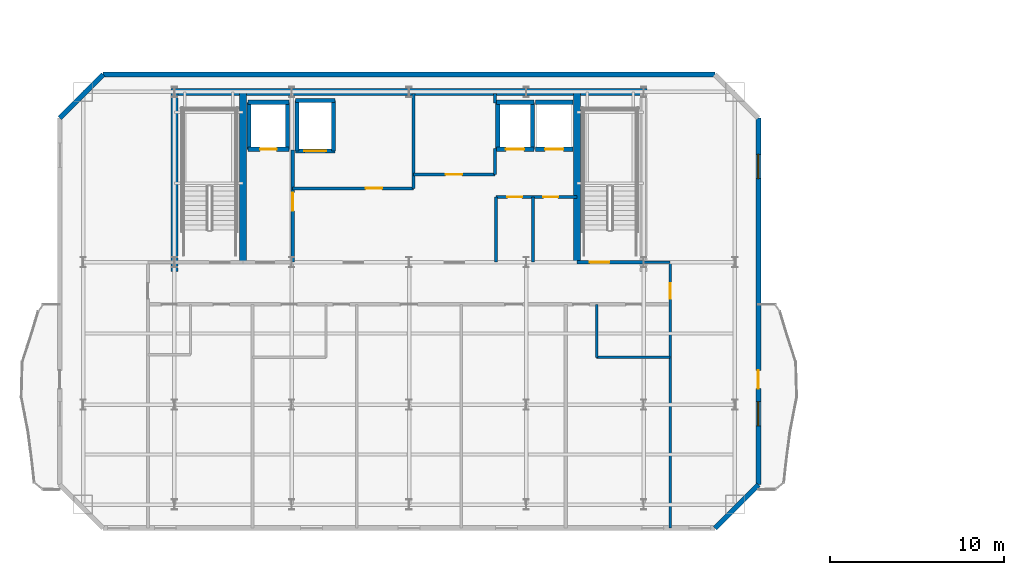
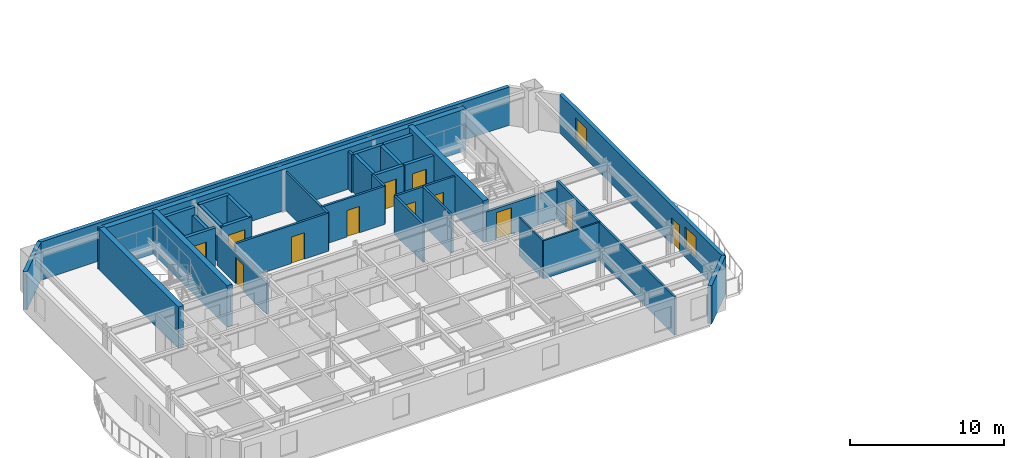
# One storey, part 6 of 13: 36 walls, 12 doors, 2 windows, 14 openings.
"""IFC4 building model written with IfcOpenShell, lengths in metres."""

from ifc_helpers import new_model, si_unit, direction, frame, frame_2d, origin, place, context, subcontext, project, spatial, rectangle, extrude, material, layer, layer_set, type_object, element, fill, save


model = new_model("IFC4")

# Units and contexts
model_context = context("Model", 3, precision=1e-05, world=origin(), true_north=direction((0.0, 1.0)))
body_context = subcontext(model_context, "Body", "Model", "MODEL_VIEW")
ifc_project = project(units=[si_unit("LENGTHUNIT", "METRE"), si_unit("AREAUNIT", "SQUARE_METRE"), si_unit("VOLUMEUNIT", "CUBIC_METRE"), si_unit("PLANEANGLEUNIT", "RADIAN"), si_unit("MASSUNIT", "GRAM", prefix="KILO")], contexts=[model_context])

# Site, building, storey
site_placement = place(None, origin())
site = spatial("IfcSite", under=ifc_project, at=site_placement, CompositionType="ELEMENT")
building_placement = place(site_placement, origin())
building = spatial("IfcBuilding", under=site, at=building_placement, Name="Haevon Station Towers", CompositionType="ELEMENT")
storey_placement = place(building_placement, frame((0.0, 0.0, 222.0)))
storey = spatial("IfcBuildingStorey", under=building, at=storey_placement, Name="L61", CompositionType="ELEMENT", Elevation=222.0)

# Wall, opening, door
ifc_material_1 = material(Name="Gypsum board on steel stud", Category="steel")
ifc_layer_1 = layer(ifc_material_1, 0.199951171875)
ifc_layer_set_1 = layer_set([ifc_layer_1], Name="Gypsum board on steel stud")
wall_type_1 = type_object("IfcWallType", Name="WL-COR200", PredefinedType="PARTITIONING", material=ifc_layer_set_1)
wall_1_placement = place(storey_placement, frame((47.14990234375, 38.199951171875, 0.0), z_axis=(0.0, 0.0, 1.0), x_axis=(1.0, 0.0, 0.0)))
wall_1 = element("IfcWall", 1, at=wall_1_placement, inside=storey, type_object=wall_type_1, Name="WL-ST-ST2-L61", PredefinedType="PARTITIONING", context=body_context, shape_type="SweptSolid", body=[
    extrude(rectangle(XDim=3.85009765625, YDim=0.199951171875, at=frame_2d((1.925048828125, 0.0))), origin(), (0.0, 0.0, 1.0), 2.429931640625),
])
opening_1_placement = place(wall_1_placement, frame((0.75, 0.0, 0.0)))
opening_1 = element("IfcOpeningElement", 2, at=opening_1_placement, cuts=wall_1, Name="Opening DR-ST-ST2-L61", PredefinedType="OPENING", context=body_context, shape_type="SweptSolid", body=[
    extrude(rectangle(XDim=1.1201171875, YDim=2.10009765625, at=frame_2d((0.56005859375, 1.050048828125))), frame((0.0, 0.10986328125, 0.0), z_axis=(0.0, -1.0, 0.0), x_axis=(1.0, 0.0, 0.0)), (0.0, 0.0, 1.0), 0.219970703125),
])
ifc_material_2 = material(Name="Engineered oak timber", Category="wood")
door_type_1 = type_object("IfcDoorType", Name="DR-ST-1120", OperationType="NOTDEFINED", PredefinedType="DOOR", material=ifc_material_2)
door_1_placement = place(opening_1_placement, origin())
door_1 = element("IfcDoor", 3, at=door_1_placement, inside=storey, type_object=door_type_1, Name="L61 Escape Stair ST2 Fire Door", OperationType="SINGLE_SWING_LEFT", OverallHeight=2.10009765625, OverallWidth=1.1201171875, PredefinedType="DOOR", context=body_context, shape_type="SweptSolid", body=[
    extrude(rectangle(XDim=1.1201171875, YDim=2.10009765625, at=frame_2d((0.56005859375, 1.050048828125))), frame((0.0, 0.02490234375, 0.0), z_axis=(0.0, -1.0, 0.0), x_axis=(1.0, 0.0, 0.0)), (0.0, 0.0, 1.0), 0.050048828125),
])
fill(opening_1, door_1)

wall_2_placement = place(storey_placement, frame((30.800048828125, 38.199951171875, 0.0), z_axis=(0.0, 0.0, 1.0), x_axis=(0.0, 1.0, 0.0)))
wall_2 = element("IfcWall", 4, at=wall_2_placement, inside=storey, type_object=wall_type_1, Name="WL-T1FFL-L61-E", PredefinedType="PARTITIONING", context=body_context, shape_type="SweptSolid", body=[
    extrude(rectangle(XDim=6.449951171875, YDim=0.199951171875, at=frame_2d((3.22509765625, 0.0))), origin(), (0.0, 0.0, 1.0), 2.429931640625),
])
opening_2_placement = place(wall_2_placement, frame((2.9599609375, 0.0, 0.0)))
opening_2 = element("IfcOpeningElement", 5, at=opening_2_placement, cuts=wall_2, Name="Opening DR-T1FFL-L61-E", PredefinedType="OPENING", context=body_context, shape_type="SweptSolid", body=[
    extrude(rectangle(XDim=1.050048828125, YDim=2.10009765625, at=frame_2d((0.52490234375, 1.050048828125))), frame((0.0, 0.10986328125, 0.0), z_axis=(0.0, -1.0, 0.0), x_axis=(1.0, 0.0, 0.0)), (0.0, 0.0, 1.0), 0.219970703125),
])
door_type_2 = type_object("IfcDoorType", Name="DR-FD60-1050", OperationType="NOTDEFINED", PredefinedType="DOOR", material=ifc_material_2)
door_2_placement = place(opening_2_placement, origin())
door_2 = element("IfcDoor", 6, at=door_2_placement, inside=storey, type_object=door_type_2, Name="L61 Tower 1 Firefighting Lift Lobby Door E", OperationType="SINGLE_SWING_RIGHT", OverallHeight=2.10009765625, OverallWidth=1.050048828125, PredefinedType="DOOR", context=body_context, shape_type="SweptSolid", body=[
    extrude(rectangle(XDim=1.050048828125, YDim=2.10009765625, at=frame_2d((0.52490234375, 1.050048828125))), frame((0.0, 0.02490234375, 0.0), z_axis=(0.0, -1.0, 0.0), x_axis=(1.0, 0.0, 0.0)), (0.0, 0.0, 1.0), 0.050048828125),
])
fill(opening_2, door_2)

# Walls
ifc_material_3 = material(Name="Concrete C60/75", Category="concrete")
ifc_layer_2 = layer(ifc_material_3, 0.39990234375)
ifc_layer_set_2 = layer_set([ifc_layer_2], Name="Concrete C60/75")
wall_type_2 = type_object("IfcWallType", Name="WL-CR400", PredefinedType="SHEAR", material=ifc_layer_set_2)
wall_3_placement = place(storey_placement, frame((23.800048828125, 48.0, 0.0), z_axis=(0.0, 0.0, 1.0), x_axis=(1.0, 0.0, 0.0)))
element("IfcWall", 7, at=wall_3_placement, inside=storey, type_object=wall_type_2, Name="WL-T1CR-L61-N", PredefinedType="SHEAR", context=body_context, shape_type="SweptSolid", body=[
    extrude(rectangle(XDim=27.39990234375, YDim=0.39990234375, at=frame_2d((13.699951171875, 0.0))), origin(), (0.0, 0.0, 1.0), 3.300048828125),
])
wall_4_placement = place(storey_placement, frame((24.0, 37.679931640625, 0.0), z_axis=(0.0, 0.0, 1.0), x_axis=(0.0, 1.0, 0.0)))
element("IfcWall", 8, at=wall_4_placement, inside=storey, type_object=wall_type_2, Name="WL-T1CR-L61-W", PredefinedType="SHEAR", context=body_context, shape_type="SweptSolid", body=[
    extrude(rectangle(XDim=10.320068359375, YDim=0.39990234375, at=frame_2d((5.16015625, 0.0))), origin(), (0.0, 0.0, 1.0), 3.300048828125),
])
for number, where, z_axis, x_axis, name in (
    (9, (27.949951171875, 38.199951171875, 0.0), (0.0, 0.0, 1.0), (0.0, 1.0, 0.0), "WL-T1CR-L61-M1"),
    (10, (47.14990234375, 38.199951171875, 0.0), (0.0, 0.0, 1.0), (0.0, 1.0, 0.0), "WL-T1CR-L61-M2"),
):
    element("IfcWall", number, at=place(storey_placement, frame(where, z_axis=z_axis, x_axis=x_axis)), inside=storey, type_object=wall_type_2, Name=name, PredefinedType="SHEAR", context=body_context, shape_type="SweptSolid", body=[
        extrude(rectangle(XDim=9.800048828125, YDim=0.39990234375, at=frame_2d((4.89990234375, 0.0))), origin(), (0.0, 0.0, 1.0), 3.300048828125),
    ])
ifc_material_4 = material(Name="Precast concrete C45/55", Category="concrete")
ifc_layer_3 = layer(ifc_material_4, 0.280029296875)
ifc_layer_set_3 = layer_set([ifc_layer_3], Name="Precast concrete C45/55")
wall_type_3 = type_object("IfcWallType", Name="WL-EXT-PIER280", PredefinedType="SOLIDWALL", material=ifc_layer_set_3)
wall_5_placement = place(storey_placement, frame((17.39990234375, 46.5, 0.0), z_axis=(0.0, 0.0, 1.0), x_axis=(0.707106781187, 0.707106781187, 0.0)))
element("IfcWall", 11, at=wall_5_placement, inside=storey, type_object=wall_type_3, Name="WL-T1-L61-NWC", PredefinedType="SOLIDWALL", context=body_context, shape_type="SweptSolid", body=[
    extrude(rectangle(XDim=3.53564453125, YDim=0.280029296875, at=frame_2d((1.767822265625, 0.0))), origin(), (0.0, 0.0, 1.0), 3.030029296875),
])
wall_6_placement = place(storey_placement, frame((19.89990234375, 49.0, 0.0), z_axis=(0.0, 0.0, 1.0), x_axis=(1.0, 0.0, 0.0)))
element("IfcWall", 12, at=wall_6_placement, inside=storey, type_object=wall_type_3, Name="WL-T1-L61-N", PredefinedType="SOLIDWALL", context=body_context, shape_type="SweptSolid", body=[
    extrude(rectangle(XDim=35.2001953125, YDim=0.280029296875, at=frame_2d((17.60009765625, 0.0))), origin(), (0.0, 0.0, 1.0), 3.030029296875),
])

# Wall, openings, door, windows
wall_7_placement = place(storey_placement, frame((57.60009765625, 46.5, 0.0), z_axis=(0.0, 0.0, 1.0), x_axis=(0.0, -1.0, 0.0)))
wall_7 = element("IfcWall", 13, at=wall_7_placement, inside=storey, type_object=wall_type_3, Name="WL-T1-L61-E", PredefinedType="SOLIDWALL", context=body_context, shape_type="SweptSolid", body=[
    extrude(rectangle(XDim=21.10009765625, YDim=0.280029296875, at=frame_2d((10.550048828125, 0.0))), origin(), (0.0, 0.0, 1.0), 3.030029296875),
])
opening_3_placement = place(wall_7_placement, frame((14.52490234375, 0.0, 0.0)))
opening_3 = element("IfcOpeningElement", 14, at=opening_3_placement, cuts=wall_7, Name="Opening DR-T1-SCAL-L61-E", PredefinedType="OPENING", context=body_context, shape_type="SweptSolid", body=[
    extrude(rectangle(XDim=1.050048828125, YDim=2.10009765625, at=frame_2d((0.52490234375, 1.050048828125))), frame((0.0, 0.14990234375, 0.0), z_axis=(0.0, -1.0, 0.0), x_axis=(1.0, 0.0, 0.0)), (0.0, 0.0, 1.0), 0.300048828125),
])
opening_4_placement = place(wall_7_placement, frame((2.093017578125, 0.0, 0.800048828125)))
opening_4 = element("IfcOpeningElement", 15, at=opening_4_placement, cuts=wall_7, Name="Opening WN-END140", PredefinedType="OPENING", context=body_context, shape_type="SweptSolid", body=[
    extrude(rectangle(XDim=1.39990234375, YDim=1.64990234375, at=frame_2d((0.699951171875, 0.824951171875))), frame((0.0, 0.14990234375, 0.0), z_axis=(0.0, -1.0, 0.0), x_axis=(1.0, 0.0, 0.0)), (0.0, 0.0, 1.0), 0.300048828125),
])
opening_5_placement = place(wall_7_placement, frame((16.314208984375, 0.0, 0.800048828125)))
opening_5 = element("IfcOpeningElement", 16, at=opening_5_placement, cuts=wall_7, Name="Opening WN-END140", PredefinedType="OPENING", context=body_context, shape_type="SweptSolid", body=[
    extrude(rectangle(XDim=1.39990234375, YDim=1.64990234375, at=frame_2d((0.699951171875, 0.824951171875))), frame((0.0, 0.14990234375, 0.0), z_axis=(0.0, -1.0, 0.0), x_axis=(1.0, 0.0, 0.0)), (0.0, 0.0, 1.0), 0.300048828125),
])
ifc_material_5 = material(Name="Thermally broken anodised aluminium and laminated safety glass", Category="aluminium")
door_type_3 = type_object("IfcDoorType", Name="DR-BALC-1050", OperationType="NOTDEFINED", PredefinedType="DOOR", material=ifc_material_5)
door_3_placement = place(opening_3_placement, origin())
door_3 = element("IfcDoor", 17, at=door_3_placement, inside=storey, type_object=door_type_3, Name="Tower 1 L61 East Scalloped Balcony Door", OperationType="SINGLE_SWING_RIGHT", OverallHeight=2.10009765625, OverallWidth=1.050048828125, PredefinedType="DOOR", context=body_context, shape_type="SweptSolid", body=[
    extrude(rectangle(XDim=1.050048828125, YDim=2.10009765625, at=frame_2d((0.52490234375, 1.050048828125))), frame((0.0, 0.02490234375, 0.0), z_axis=(0.0, -1.0, 0.0), x_axis=(1.0, 0.0, 0.0)), (0.0, 0.0, 1.0), 0.050048828125),
])
fill(opening_3, door_3)
ifc_material_6 = material(Name="Low-E triple glazing in thermally broken aluminium", Category="aluminium")
window_type = type_object("IfcWindowType", Name="WN-END140", PartitioningType="SINGLE_PANEL", PredefinedType="WINDOW", material=ifc_material_6)
window_1_placement = place(opening_4_placement, origin())
window_1 = element("IfcWindow", 18, at=window_1_placement, inside=storey, type_object=window_type, Name="WN-T1-L61-E01", OverallHeight=1.64990234375, OverallWidth=1.39990234375, PartitioningType="SINGLE_PANEL", PredefinedType="WINDOW", context=body_context, shape_type="SweptSolid", body=[
    extrude(rectangle(XDim=1.39990234375, YDim=1.64990234375, at=frame_2d((0.699951171875, 0.824951171875))), frame((0.0, 0.030029296875, 0.0), z_axis=(0.0, -1.0, 0.0), x_axis=(1.0, 0.0, 0.0)), (0.0, 0.0, 1.0), 0.06005859375),
])
fill(opening_4, window_1)
window_2_placement = place(opening_5_placement, origin())
window_2 = element("IfcWindow", 19, at=window_2_placement, inside=storey, type_object=window_type, Name="WN-T1-L61-E02", OverallHeight=1.64990234375, OverallWidth=1.39990234375, PartitioningType="SINGLE_PANEL", PredefinedType="WINDOW", context=body_context, shape_type="SweptSolid", body=[
    extrude(rectangle(XDim=1.39990234375, YDim=1.64990234375, at=frame_2d((0.699951171875, 0.824951171875))), frame((0.0, 0.030029296875, 0.0), z_axis=(0.0, -1.0, 0.0), x_axis=(1.0, 0.0, 0.0)), (0.0, 0.0, 1.0), 0.06005859375),
])
fill(opening_5, window_2)

# Walls
wall_8_placement = place(storey_placement, frame((57.60009765625, 25.39990234375, 0.0), z_axis=(0.0, 0.0, 1.0), x_axis=(-0.707106781187, -0.707106781187, 0.0)))
element("IfcWall", 20, at=wall_8_placement, inside=storey, type_object=wall_type_3, Name="WL-T1-L61-SEC", PredefinedType="SOLIDWALL", context=body_context, shape_type="SweptSolid", body=[
    extrude(rectangle(XDim=3.53564453125, YDim=0.280029296875, at=frame_2d((1.767822265625, 0.0))), origin(), (0.0, 0.0, 1.0), 3.030029296875),
])
ifc_layer_4 = layer(ifc_material_1, 0.125)
ifc_layer_set_4 = layer_set([ifc_layer_4], Name="Gypsum board on steel stud")
wall_type_4 = type_object("IfcWallType", Name="WL-PRT125", PredefinedType="PARTITIONING", material=ifc_layer_set_4)
wall_9_placement = place(storey_placement, frame((48.294921875, 32.72998046875, 0.0), z_axis=(0.0, 0.0, 1.0), x_axis=(1.0, 0.0, 0.0)))
element("IfcWall", 21, at=wall_9_placement, inside=storey, type_object=wall_type_4, Name="WL-T1PT-L61-13", PredefinedType="PARTITIONING", context=body_context, shape_type="SweptSolid", body=[
    extrude(rectangle(XDim=4.22998046875, YDim=0.125, at=frame_2d((2.114990234375, 0.0))), origin(), (0.0, 0.0, 1.0), 3.030029296875),
])
wall_10_placement = place(storey_placement, frame((48.294921875, 32.72998046875, 0.0), z_axis=(0.0, 0.0, 1.0), x_axis=(0.0, 1.0, 0.0)))
element("IfcWall", 22, at=wall_10_placement, inside=storey, type_object=wall_type_4, Name="WL-T1PT-L61-14", PredefinedType="PARTITIONING", context=body_context, shape_type="SweptSolid", body=[
    extrude(rectangle(XDim=3.050048828125, YDim=0.125, at=frame_2d((1.52490234375, 0.0))), origin(), (0.0, 0.0, 1.0), 3.030029296875),
])

# Wall, opening, door
ifc_layer_5 = layer(ifc_material_1, 0.159912109375)
ifc_layer_set_5 = layer_set([ifc_layer_5], Name="Gypsum board on steel stud")
wall_type_5 = type_object("IfcWallType", Name="WL-PRT160", PredefinedType="PARTITIONING", material=ifc_layer_set_5)
wall_11_placement = place(storey_placement, frame((30.800048828125, 42.449951171875, 0.0), z_axis=(0.0, 0.0, 1.0), x_axis=(1.0, 0.0, 0.0)))
wall_11 = element("IfcWall", 23, at=wall_11_placement, inside=storey, type_object=wall_type_5, Name="WL-T1CW-L61-01", PredefinedType="PARTITIONING", context=body_context, shape_type="SweptSolid", body=[
    extrude(rectangle(XDim=6.949951171875, YDim=0.159912109375, at=frame_2d((3.47509765625, 0.0))), origin(), (0.0, 0.0, 1.0), 3.030029296875),
])
opening_6_placement = place(wall_11_placement, frame((4.199951171875, 0.0, 0.0)))
opening_6 = element("IfcOpeningElement", 24, at=opening_6_placement, cuts=wall_11, Name="Opening DR-WL-T1CW-L61-01-1", PredefinedType="OPENING", context=body_context, shape_type="SweptSolid", body=[
    extrude(rectangle(XDim=0.949951171875, YDim=2.10009765625, at=frame_2d((0.47509765625, 1.050048828125))), frame((0.0, 0.08984375, 0.0), z_axis=(0.0, -1.0, 0.0), x_axis=(1.0, 0.0, 0.0)), (0.0, 0.0, 1.0), 0.179931640625),
])
door_type_4 = type_object("IfcDoorType", Name="DR-FD60-950", OperationType="NOTDEFINED", PredefinedType="DOOR", material=ifc_material_2)
door_4_placement = place(opening_6_placement, origin())
door_4 = element("IfcDoor", 25, at=door_4_placement, inside=storey, type_object=door_type_4, Name="L61 Tower 1 Core Room Door 1-1", OperationType="SINGLE_SWING_LEFT", OverallHeight=2.10009765625, OverallWidth=0.949951171875, PredefinedType="DOOR", context=body_context, shape_type="SweptSolid", body=[
    extrude(rectangle(XDim=0.949951171875, YDim=2.10009765625, at=frame_2d((0.47509765625, 1.050048828125))), frame((0.0, 0.02490234375, 0.0), z_axis=(0.0, -1.0, 0.0), x_axis=(1.0, 0.0, 0.0)), (0.0, 0.0, 1.0), 0.050048828125),
])
fill(opening_6, door_4)

# Wall
wall_12_placement = place(storey_placement, frame((37.75, 42.449951171875, 0.0), z_axis=(0.0, 0.0, 1.0), x_axis=(0.0, 1.0, 0.0)))
element("IfcWall", 26, at=wall_12_placement, inside=storey, type_object=wall_type_5, Name="WL-T1CW-L61-02", PredefinedType="PARTITIONING", context=body_context, shape_type="SweptSolid", body=[
    extrude(rectangle(XDim=5.449951171875, YDim=0.159912109375, at=frame_2d((2.72509765625, 0.0))), origin(), (0.0, 0.0, 1.0), 3.030029296875),
])

# Wall, opening, door
wall_13_placement = place(storey_placement, frame((37.75, 43.25, 0.0), z_axis=(0.0, 0.0, 1.0), x_axis=(1.0, 0.0, 0.0)))
wall_13 = element("IfcWall", 27, at=wall_13_placement, inside=storey, type_object=wall_type_5, Name="WL-T1CW-L61-03", PredefinedType="PARTITIONING", context=body_context, shape_type="SweptSolid", body=[
    extrude(rectangle(XDim=4.699951171875, YDim=0.159912109375, at=frame_2d((2.35009765625, 0.0))), origin(), (0.0, 0.0, 1.0), 3.030029296875),
])
opening_7_placement = place(wall_13_placement, frame((1.85009765625, 0.0, 0.0)))
opening_7 = element("IfcOpeningElement", 28, at=opening_7_placement, cuts=wall_13, Name="Opening DR-WL-T1CW-L61-03-1", PredefinedType="OPENING", context=body_context, shape_type="SweptSolid", body=[
    extrude(rectangle(XDim=0.949951171875, YDim=2.10009765625, at=frame_2d((0.47509765625, 1.050048828125))), frame((0.0, 0.08984375, 0.0), z_axis=(0.0, -1.0, 0.0), x_axis=(1.0, 0.0, 0.0)), (0.0, 0.0, 1.0), 0.179931640625),
])
door_5_placement = place(opening_7_placement, origin())
door_5 = element("IfcDoor", 29, at=door_5_placement, inside=storey, type_object=door_type_4, Name="L61 Tower 1 Core Room Door 3-1", OperationType="SINGLE_SWING_RIGHT", OverallHeight=2.10009765625, OverallWidth=0.949951171875, PredefinedType="DOOR", context=body_context, shape_type="SweptSolid", body=[
    extrude(rectangle(XDim=0.949951171875, YDim=2.10009765625, at=frame_2d((0.47509765625, 1.050048828125))), frame((0.0, 0.02490234375, 0.0), z_axis=(0.0, -1.0, 0.0), x_axis=(1.0, 0.0, 0.0)), (0.0, 0.0, 1.0), 0.050048828125),
])
fill(opening_7, door_5)

# Walls
wall_14_placement = place(storey_placement, frame((42.449951171875, 43.25, 0.0), z_axis=(0.0, 0.0, 1.0), x_axis=(0.0, 1.0, 0.0)))
element("IfcWall", 30, at=wall_14_placement, inside=storey, type_object=wall_type_5, Name="WL-T1CW-L61-04", PredefinedType="PARTITIONING", context=body_context, shape_type="SweptSolid", body=[
    extrude(rectangle(XDim=1.5, YDim=0.159912109375, at=frame_2d((0.75, 0.0))), origin(), (0.0, 0.0, 1.0), 3.030029296875),
])
wall_15_placement = place(storey_placement, frame((42.449951171875, 47.35009765625, 0.0), z_axis=(0.0, 0.0, 1.0), x_axis=(0.0, 1.0, 0.0)))
element("IfcWall", 31, at=wall_15_placement, inside=storey, type_object=wall_type_5, Name="WL-T1CW-L61-05", PredefinedType="PARTITIONING", context=body_context, shape_type="SweptSolid", body=[
    extrude(rectangle(XDim=0.5498046875, YDim=0.159912109375, at=frame_2d((0.27490234375, 0.0))), origin(), (0.0, 0.0, 1.0), 3.030029296875),
])
for number, where, z_axis, x_axis, name in (
    (32, (42.5, 38.199951171875, 0.0), (0.0, 0.0, 1.0), (0.0, 1.0, 0.0), "WL-T1CW-L61-06"),
    (33, (44.6298828125, 38.199951171875, 0.0), (0.0, 0.0, 1.0), (0.0, 1.0, 0.0), "WL-T1CW-L61-07"),
):
    element("IfcWall", number, at=place(storey_placement, frame(where, z_axis=z_axis, x_axis=x_axis)), inside=storey, type_object=wall_type_5, Name=name, PredefinedType="PARTITIONING", context=body_context, shape_type="SweptSolid", body=[
        extrude(rectangle(XDim=3.75, YDim=0.159912109375, at=frame_2d((1.875, 0.0))), origin(), (0.0, 0.0, 1.0), 3.030029296875),
    ])

# Wall, openings, doors
wall_16_placement = place(storey_placement, frame((42.5, 41.949951171875, 0.0), z_axis=(0.0, 0.0, 1.0), x_axis=(1.0, 0.0, 0.0)))
wall_16 = element("IfcWall", 34, at=wall_16_placement, inside=storey, type_object=wall_type_5, Name="WL-T1CW-L61-08", PredefinedType="PARTITIONING", context=body_context, shape_type="SweptSolid", body=[
    extrude(rectangle(XDim=4.64990234375, YDim=0.159912109375, at=frame_2d((2.324951171875, 0.0))), origin(), (0.0, 0.0, 1.0), 3.030029296875),
])
opening_8_placement = place(wall_16_placement, frame((0.659912109375, 0.0, 0.0)))
opening_8 = element("IfcOpeningElement", 35, at=opening_8_placement, cuts=wall_16, Name="Opening DR-WL-T1CW-L61-08-1", PredefinedType="OPENING", context=body_context, shape_type="SweptSolid", body=[
    extrude(rectangle(XDim=0.85009765625, YDim=2.050048828125, at=frame_2d((0.425048828125, 1.02490234375))), frame((0.0, 0.08984375, 0.0), z_axis=(0.0, -1.0, 0.0), x_axis=(1.0, 0.0, 0.0)), (0.0, 0.0, 1.0), 0.179931640625),
])
opening_9_placement = place(wall_16_placement, frame((2.72998046875, 0.0, 0.0)))
opening_9 = element("IfcOpeningElement", 36, at=opening_9_placement, cuts=wall_16, Name="Opening DR-WL-T1CW-L61-08-2", PredefinedType="OPENING", context=body_context, shape_type="SweptSolid", body=[
    extrude(rectangle(XDim=0.85009765625, YDim=2.050048828125, at=frame_2d((0.425048828125, 1.02490234375))), frame((0.0, 0.08984375, 0.0), z_axis=(0.0, -1.0, 0.0), x_axis=(1.0, 0.0, 0.0)), (0.0, 0.0, 1.0), 0.179931640625),
])
door_type_5 = type_object("IfcDoorType", Name="DR-FD30-850", OperationType="NOTDEFINED", PredefinedType="DOOR", material=ifc_material_2)
door_6_placement = place(opening_8_placement, origin())
door_6 = element("IfcDoor", 37, at=door_6_placement, inside=storey, type_object=door_type_5, Name="L61 Tower 1 Core Room Door 8-1", OperationType="SINGLE_SWING_LEFT", OverallHeight=2.050048828125, OverallWidth=0.85009765625, PredefinedType="DOOR", context=body_context, shape_type="SweptSolid", body=[
    extrude(rectangle(XDim=0.85009765625, YDim=2.050048828125, at=frame_2d((0.425048828125, 1.02490234375))), frame((0.0, 0.02490234375, 0.0), z_axis=(0.0, -1.0, 0.0), x_axis=(1.0, 0.0, 0.0)), (0.0, 0.0, 1.0), 0.050048828125),
])
fill(opening_8, door_6)
door_7_placement = place(opening_9_placement, origin())
door_7 = element("IfcDoor", 38, at=door_7_placement, inside=storey, type_object=door_type_5, Name="L61 Tower 1 Core Room Door 8-2", OperationType="SINGLE_SWING_RIGHT", OverallHeight=2.050048828125, OverallWidth=0.85009765625, PredefinedType="DOOR", context=body_context, shape_type="SweptSolid", body=[
    extrude(rectangle(XDim=0.85009765625, YDim=2.050048828125, at=frame_2d((0.425048828125, 1.02490234375))), frame((0.0, 0.02490234375, 0.0), z_axis=(0.0, -1.0, 0.0), x_axis=(1.0, 0.0, 0.0)), (0.0, 0.0, 1.0), 0.050048828125),
])
fill(opening_9, door_7)

# Wall
wall_17_placement = place(storey_placement, frame((51.0, 38.199951171875, 0.0), z_axis=(0.0, 0.0, 1.0), x_axis=(1.0, 0.0, 0.0)))
element("IfcWall", 39, at=wall_17_placement, inside=storey, type_object=wall_type_5, Name="WL-T1PT-L61-02", PredefinedType="PARTITIONING", context=body_context, shape_type="SweptSolid", body=[
    extrude(rectangle(XDim=1.52490234375, YDim=0.159912109375, at=frame_2d((0.762451171875, 0.0))), origin(), (0.0, 0.0, 1.0), 2.429931640625),
])

# Wall, opening, door
wall_18_placement = place(storey_placement, frame((52.52490234375, 22.89990234375, 0.0), z_axis=(0.0, 0.0, 1.0), x_axis=(0.0, 1.0, 0.0)))
wall_18 = element("IfcWall", 40, at=wall_18_placement, inside=storey, type_object=wall_type_5, Name="WL-T1PT-L61-04", PredefinedType="PARTITIONING", context=body_context, shape_type="SweptSolid", body=[
    extrude(rectangle(XDim=15.300048828125, YDim=0.159912109375, at=frame_2d((7.64990234375, 0.0))), origin(), (0.0, 0.0, 1.0), 3.030029296875),
])
opening_10_placement = place(wall_18_placement, frame((13.199951171875, 0.0, 0.0)))
opening_10 = element("IfcOpeningElement", 41, at=opening_10_placement, cuts=wall_18, Name="Opening DR-WL-T1PT-L61-04-01", PredefinedType="OPENING", context=body_context, shape_type="SweptSolid", body=[
    extrude(rectangle(XDim=0.89990234375, YDim=2.050048828125, at=frame_2d((0.449951171875, 1.02490234375))), frame((0.0, 0.08984375, 0.0), z_axis=(0.0, -1.0, 0.0), x_axis=(1.0, 0.0, 0.0)), (0.0, 0.0, 1.0), 0.179931640625),
])
door_type_6 = type_object("IfcDoorType", Name="DR-INT-900", OperationType="NOTDEFINED", PredefinedType="DOOR", material=ifc_material_2)
door_8_placement = place(opening_10_placement, origin())
door_8 = element("IfcDoor", 42, at=door_8_placement, inside=storey, type_object=door_type_6, Name="L61 Tower 1 Room Door 4-1", OperationType="SINGLE_SWING_RIGHT", OverallHeight=2.050048828125, OverallWidth=0.89990234375, PredefinedType="DOOR", context=body_context, shape_type="SweptSolid", body=[
    extrude(rectangle(XDim=0.89990234375, YDim=2.050048828125, at=frame_2d((0.449951171875, 1.02490234375))), frame((0.0, 0.02490234375, 0.0), z_axis=(0.0, -1.0, 0.0), x_axis=(1.0, 0.0, 0.0)), (0.0, 0.0, 1.0), 0.050048828125),
])
fill(opening_10, door_8)

ifc_material_7 = material(Name="Concrete C40/50", Category="concrete")
ifc_layer_6 = layer(ifc_material_7, 0.239990234375)
ifc_layer_set_6 = layer_set([ifc_layer_6], Name="Concrete C40/50")
wall_type_6 = type_object("IfcWallType", Name="WL-SHF240", PredefinedType="PARTITIONING", material=ifc_layer_set_6)
wall_19_placement = place(storey_placement, frame((28.219970703125, 44.699951171875, 0.0), z_axis=(0.0, 0.0, 1.0), x_axis=(1.0, 0.0, 0.0)))
wall_19 = element("IfcWall", 43, at=wall_19_placement, inside=storey, type_object=wall_type_6, Name="WL-SHF-FL1-L61", PredefinedType="PARTITIONING", context=body_context, shape_type="SweptSolid", body=[
    extrude(rectangle(XDim=2.360107421875, YDim=0.239990234375, at=frame_2d((1.18017578125, 0.0))), origin(), (0.0, 0.0, 1.0), 3.030029296875),
])
opening_11_placement = place(wall_19_placement, frame((0.705078125, 0.0, 0.0)))
opening_11 = element("IfcOpeningElement", 44, at=opening_11_placement, cuts=wall_19, Name="Opening LD-FL1-L61", PredefinedType="OPENING", context=body_context, shape_type="SweptSolid", body=[
    extrude(rectangle(XDim=0.949951171875, YDim=2.14990234375, at=frame_2d((0.47509765625, 1.074951171875))), frame((0.0, 0.1298828125, 0.0), z_axis=(0.0, -1.0, 0.0), x_axis=(1.0, 0.0, 0.0)), (0.0, 0.0, 1.0), 0.260009765625),
])
ifc_material_8 = material(Name="Stainless steel and rated core", Category="steel")
door_type_7 = type_object("IfcDoorType", Name="LD-FL950", OperationType="SLIDING_TO_LEFT", PredefinedType="DOOR", material=ifc_material_8)
door_9_placement = place(opening_11_placement, origin())
door_9 = element("IfcDoor", 45, at=door_9_placement, inside=storey, type_object=door_type_7, Name="L61 Lift FL1 Sliding Landing Door", OperationType="SLIDING_TO_LEFT", OverallHeight=2.14990234375, OverallWidth=0.949951171875, PredefinedType="DOOR", context=body_context, shape_type="SweptSolid", body=[
    extrude(rectangle(XDim=0.949951171875, YDim=2.14990234375, at=frame_2d((0.47509765625, 1.074951171875))), frame((0.0, 0.02490234375, 0.0), z_axis=(0.0, -1.0, 0.0), x_axis=(1.0, 0.0, 0.0)), (0.0, 0.0, 1.0), 0.050048828125),
])
fill(opening_11, door_9)

# Walls
wall_20_placement = place(storey_placement, frame((28.219970703125, 47.39990234375, 0.0), z_axis=(0.0, 0.0, 1.0), x_axis=(1.0, 0.0, 0.0)))
element("IfcWall", 46, at=wall_20_placement, inside=storey, type_object=wall_type_6, Name="WL-SHF-FL1-L61-N", PredefinedType="PARTITIONING", context=body_context, shape_type="SweptSolid", body=[
    extrude(rectangle(XDim=2.360107421875, YDim=0.239990234375, at=frame_2d((1.18017578125, 0.0))), origin(), (0.0, 0.0, 1.0), 3.030029296875),
])
wall_21_placement = place(storey_placement, frame((28.300048828125, 44.699951171875, 0.0), z_axis=(0.0, 0.0, 1.0), x_axis=(0.0, 1.0, 0.0)))
element("IfcWall", 47, at=wall_21_placement, inside=storey, type_object=wall_type_6, Name="WL-SHF-FL1-L61-W", PredefinedType="PARTITIONING", context=body_context, shape_type="SweptSolid", body=[
    extrude(rectangle(XDim=2.699951171875, YDim=0.239990234375, at=frame_2d((1.35009765625, 0.0))), origin(), (0.0, 0.0, 1.0), 3.030029296875),
])
wall_22_placement = place(storey_placement, frame((30.5, 44.699951171875, 0.0), z_axis=(0.0, 0.0, 1.0), x_axis=(0.0, 1.0, 0.0)))
element("IfcWall", 48, at=wall_22_placement, inside=storey, type_object=wall_type_6, Name="WL-SHF-FL1-L61-E", PredefinedType="PARTITIONING", context=body_context, shape_type="SweptSolid", body=[
    extrude(rectangle(XDim=2.699951171875, YDim=0.239990234375, at=frame_2d((1.35009765625, 0.0))), origin(), (0.0, 0.0, 1.0), 2.429931640625),
])

# Wall, opening, door
wall_23_placement = place(storey_placement, frame((30.969970703125, 44.60009765625, 0.0), z_axis=(0.0, 0.0, 1.0), x_axis=(1.0, 0.0, 0.0)))
wall_23 = element("IfcWall", 49, at=wall_23_placement, inside=storey, type_object=wall_type_6, Name="WL-SHF-SL1-L61", PredefinedType="PARTITIONING", context=body_context, shape_type="SweptSolid", body=[
    extrude(rectangle(XDim=2.260009765625, YDim=0.239990234375, at=frame_2d((1.1298828125, 0.0))), origin(), (0.0, 0.0, 1.0), 3.030029296875),
])
opening_12_placement = place(wall_23_placement, frame((0.5048828125, 0.0, 0.0)))
opening_12 = element("IfcOpeningElement", 50, at=opening_12_placement, cuts=wall_23, Name="Opening LD-SL1-L61", PredefinedType="OPENING", context=body_context, shape_type="SweptSolid", body=[
    extrude(rectangle(XDim=1.25, YDim=2.199951171875, at=frame_2d((0.625, 1.10009765625))), frame((0.0, 0.1298828125, 0.0), z_axis=(0.0, -1.0, 0.0), x_axis=(1.0, 0.0, 0.0)), (0.0, 0.0, 1.0), 0.260009765625),
])
door_type_8 = type_object("IfcDoorType", Name="LD-SL1250", OperationType="SLIDING_TO_LEFT", PredefinedType="DOOR", material=ifc_material_8)
door_10_placement = place(opening_12_placement, origin())
door_10 = element("IfcDoor", 51, at=door_10_placement, inside=storey, type_object=door_type_8, Name="L61 Lift SL1 Sliding Landing Door", OperationType="SLIDING_TO_LEFT", OverallHeight=2.199951171875, OverallWidth=1.25, PredefinedType="DOOR", context=body_context, shape_type="SweptSolid", body=[
    extrude(rectangle(XDim=1.25, YDim=2.199951171875, at=frame_2d((0.625, 1.10009765625))), frame((0.0, 0.02490234375, 0.0), z_axis=(0.0, -1.0, 0.0), x_axis=(1.0, 0.0, 0.0)), (0.0, 0.0, 1.0), 0.050048828125),
])
fill(opening_12, door_10)

# Walls
wall_24_placement = place(storey_placement, frame((30.969970703125, 47.5, 0.0), z_axis=(0.0, 0.0, 1.0), x_axis=(1.0, 0.0, 0.0)))
element("IfcWall", 52, at=wall_24_placement, inside=storey, type_object=wall_type_6, Name="WL-SHF-SL1-L61-N", PredefinedType="PARTITIONING", context=body_context, shape_type="SweptSolid", body=[
    extrude(rectangle(XDim=2.260009765625, YDim=0.239990234375, at=frame_2d((1.1298828125, 0.0))), origin(), (0.0, 0.0, 1.0), 3.030029296875),
])
for number, where, z_axis, x_axis, name in (
    (53, (31.050048828125, 44.60009765625, 0.0), (0.0, 0.0, 1.0), (0.0, 1.0, 0.0), "WL-SHF-SL1-L61-W"),
    (54, (33.14990234375, 44.60009765625, 0.0), (0.0, 0.0, 1.0), (0.0, 1.0, 0.0), "WL-SHF-SL1-L61-E"),
):
    element("IfcWall", number, at=place(storey_placement, frame(where, z_axis=z_axis, x_axis=x_axis)), inside=storey, type_object=wall_type_6, Name=name, PredefinedType="PARTITIONING", context=body_context, shape_type="SweptSolid", body=[
        extrude(rectangle(XDim=2.89990234375, YDim=0.239990234375, at=frame_2d((1.449951171875, 0.0))), origin(), (0.0, 0.0, 1.0), 3.030029296875),
    ])

# Wall, opening, door
wall_25_placement = place(storey_placement, frame((42.52001953125, 44.699951171875, 0.0), z_axis=(0.0, 0.0, 1.0), x_axis=(1.0, 0.0, 0.0)))
wall_25 = element("IfcWall", 55, at=wall_25_placement, inside=storey, type_object=wall_type_6, Name="WL-SHF-PL5-L61", PredefinedType="PARTITIONING", context=body_context, shape_type="SweptSolid", body=[
    extrude(rectangle(XDim=2.159912109375, YDim=0.239990234375, at=frame_2d((1.080078125, 0.0))), origin(), (0.0, 0.0, 1.0), 3.030029296875),
])
opening_13_placement = place(wall_25_placement, frame((0.554931640625, 0.0, 0.0)))
opening_13 = element("IfcOpeningElement", 56, at=opening_13_placement, cuts=wall_25, Name="Opening LD-PL5-L61", PredefinedType="OPENING", context=body_context, shape_type="SweptSolid", body=[
    extrude(rectangle(XDim=1.050048828125, YDim=2.14990234375, at=frame_2d((0.52490234375, 1.074951171875))), frame((0.0, 0.1298828125, 0.0), z_axis=(0.0, -1.0, 0.0), x_axis=(1.0, 0.0, 0.0)), (0.0, 0.0, 1.0), 0.260009765625),
])
door_type_9 = type_object("IfcDoorType", Name="LD-PL1050", OperationType="SLIDING_TO_LEFT", PredefinedType="DOOR", material=ifc_material_8)
door_11_placement = place(opening_13_placement, origin())
door_11 = element("IfcDoor", 57, at=door_11_placement, inside=storey, type_object=door_type_9, Name="L61 Lift PL5 Sliding Landing Door", OperationType="SLIDING_TO_LEFT", OverallHeight=2.14990234375, OverallWidth=1.050048828125, PredefinedType="DOOR", context=body_context, shape_type="SweptSolid", body=[
    extrude(rectangle(XDim=1.050048828125, YDim=2.14990234375, at=frame_2d((0.52490234375, 1.074951171875))), frame((0.0, 0.02490234375, 0.0), z_axis=(0.0, -1.0, 0.0), x_axis=(1.0, 0.0, 0.0)), (0.0, 0.0, 1.0), 0.050048828125),
])
fill(opening_13, door_11)

# Walls
wall_26_placement = place(storey_placement, frame((42.52001953125, 47.39990234375, 0.0), z_axis=(0.0, 0.0, 1.0), x_axis=(1.0, 0.0, 0.0)))
element("IfcWall", 58, at=wall_26_placement, inside=storey, type_object=wall_type_6, Name="WL-SHF-PL5-L61-N", PredefinedType="PARTITIONING", context=body_context, shape_type="SweptSolid", body=[
    extrude(rectangle(XDim=2.159912109375, YDim=0.239990234375, at=frame_2d((1.080078125, 0.0))), origin(), (0.0, 0.0, 1.0), 3.030029296875),
])
for number, where, z_axis, x_axis, name in (
    (59, (42.60009765625, 44.699951171875, 0.0), (0.0, 0.0, 1.0), (0.0, 1.0, 0.0), "WL-SHF-PL5-L61-W"),
    (60, (44.60009765625, 44.699951171875, 0.0), (0.0, 0.0, 1.0), (0.0, 1.0, 0.0), "WL-SHF-PL5-L61-E"),
):
    element("IfcWall", number, at=place(storey_placement, frame(where, z_axis=z_axis, x_axis=x_axis)), inside=storey, type_object=wall_type_6, Name=name, PredefinedType="PARTITIONING", context=body_context, shape_type="SweptSolid", body=[
        extrude(rectangle(XDim=2.699951171875, YDim=0.239990234375, at=frame_2d((1.35009765625, 0.0))), origin(), (0.0, 0.0, 1.0), 3.030029296875),
    ])

# Wall, opening, door
wall_27_placement = place(storey_placement, frame((44.77001953125, 44.699951171875, 0.0), z_axis=(0.0, 0.0, 1.0), x_axis=(1.0, 0.0, 0.0)))
wall_27 = element("IfcWall", 61, at=wall_27_placement, inside=storey, type_object=wall_type_6, Name="WL-SHF-PL6-L61", PredefinedType="PARTITIONING", context=body_context, shape_type="SweptSolid", body=[
    extrude(rectangle(XDim=2.159912109375, YDim=0.239990234375, at=frame_2d((1.080078125, 0.0))), origin(), (0.0, 0.0, 1.0), 3.030029296875),
])
opening_14_placement = place(wall_27_placement, frame((0.554931640625, 0.0, 0.0)))
opening_14 = element("IfcOpeningElement", 62, at=opening_14_placement, cuts=wall_27, Name="Opening LD-PL6-L61", PredefinedType="OPENING", context=body_context, shape_type="SweptSolid", body=[
    extrude(rectangle(XDim=1.050048828125, YDim=2.14990234375, at=frame_2d((0.52490234375, 1.074951171875))), frame((0.0, 0.1298828125, 0.0), z_axis=(0.0, -1.0, 0.0), x_axis=(1.0, 0.0, 0.0)), (0.0, 0.0, 1.0), 0.260009765625),
])
door_12_placement = place(opening_14_placement, origin())
door_12 = element("IfcDoor", 63, at=door_12_placement, inside=storey, type_object=door_type_9, Name="L61 Lift PL6 Sliding Landing Door", OperationType="SLIDING_TO_LEFT", OverallHeight=2.14990234375, OverallWidth=1.050048828125, PredefinedType="DOOR", context=body_context, shape_type="SweptSolid", body=[
    extrude(rectangle(XDim=1.050048828125, YDim=2.14990234375, at=frame_2d((0.52490234375, 1.074951171875))), frame((0.0, 0.02490234375, 0.0), z_axis=(0.0, -1.0, 0.0), x_axis=(1.0, 0.0, 0.0)), (0.0, 0.0, 1.0), 0.050048828125),
])
fill(opening_14, door_12)

# Wall
wall_28_placement = place(storey_placement, frame((44.77001953125, 47.39990234375, 0.0), z_axis=(0.0, 0.0, 1.0), x_axis=(1.0, 0.0, 0.0)))
element("IfcWall", 64, at=wall_28_placement, inside=storey, type_object=wall_type_6, Name="WL-SHF-PL6-L61-N", PredefinedType="PARTITIONING", context=body_context, shape_type="SweptSolid", body=[
    extrude(rectangle(XDim=2.159912109375, YDim=0.239990234375, at=frame_2d((1.080078125, 0.0))), origin(), (0.0, 0.0, 1.0), 3.030029296875),
])

save(model, "model.ifc")
